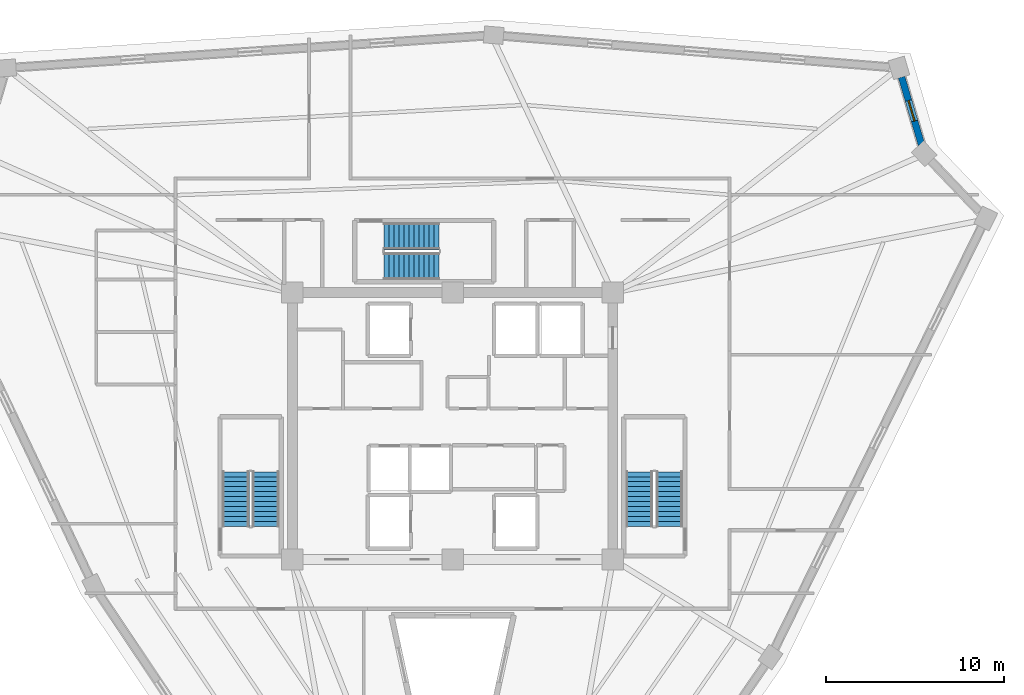
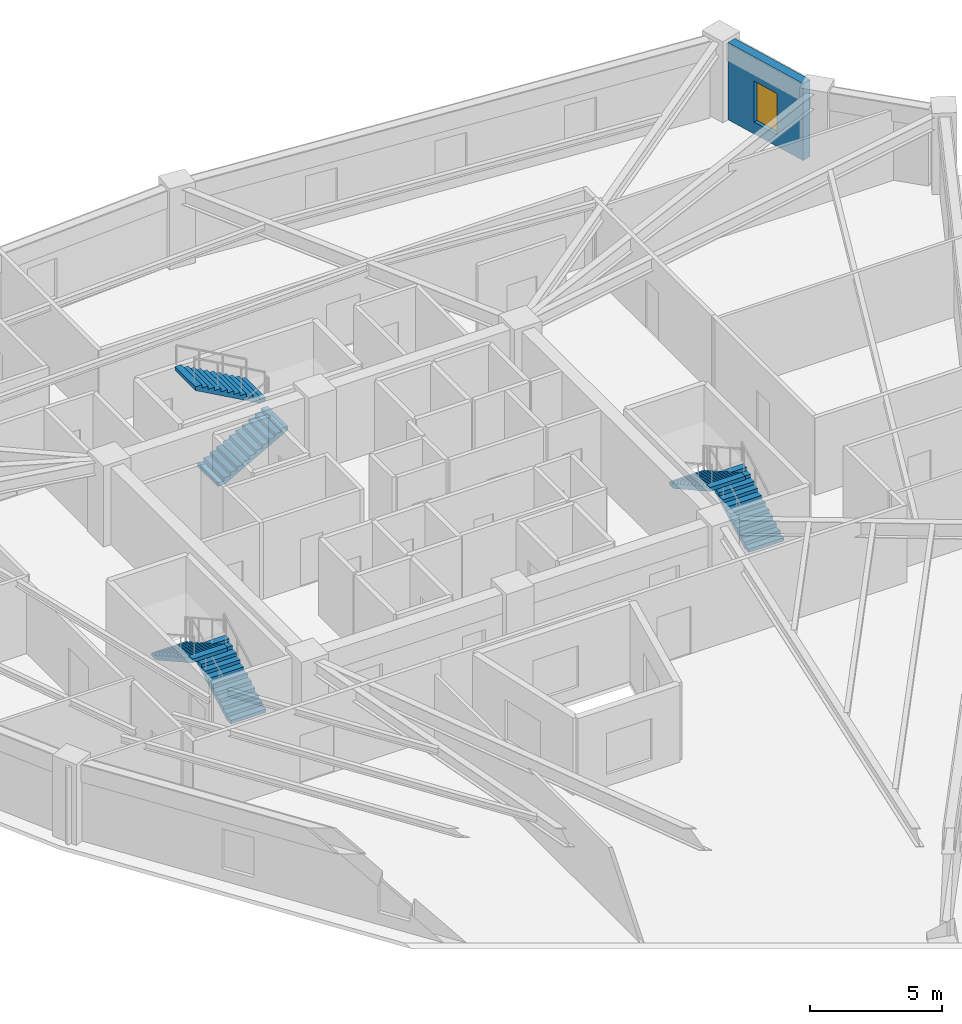
# One storey, part 7 of 8: 6 stair flights, 1 wall, 1 window, 1 opening, 3 elements without a shape of their own.
"""IFC4 building model written with IfcOpenShell, lengths in metres."""

import ifcopenshell
import ifcopenshell.guid

model = None  # the IFC model being written
_history = None  # IfcOwnerHistory: only IFC2X3 demands one
_inside = {}  # id of a spatial element -> (the spatial element, [elements in it])
_under = {}  # id of a project, library or spatial element -> (it, [spatial elements below it])
_declared = {}  # id of a project -> (the project, [libraries it declares])
_typed = {}  # id of a type object -> (the type object, [elements of that type])
_made_of = {}  # id of a material, layer set ... -> (it, [elements and type objects made of it])


def new_model(schema):
    """Start an empty IFC model of exactly this schema.

    Asked for "IFC4X3", IfcOpenShell would pick the latest addendum, in which some entities
    have other attributes; the version numbers below select the first issue.
    IFC2X3 requires an IfcOwnerHistory on every rooted entity: one is made here for all.
    """
    global model, _history
    if schema == "IFC4X3":
        model = ifcopenshell.file(schema_version=(4, 3, 0, 0))
    else:
        model = ifcopenshell.file(schema=schema)
    _inside.clear()
    _under.clear()
    _declared.clear()
    _typed.clear()
    _made_of.clear()
    _history = None
    if model.schema == "IFC2X3":
        org = make("IfcOrganization", Name="unknown")
        user = make(
            "IfcPersonAndOrganization",
            ThePerson=make("IfcPerson", FamilyName="unknown"),
            TheOrganization=org,
        )
        app = make(
            "IfcApplication",
            ApplicationDeveloper=org,
            Version="unknown",
            ApplicationFullName="unknown",
            ApplicationIdentifier="unknown",
        )
        _history = make(
            "IfcOwnerHistory",
            OwningUser=user,
            OwningApplication=app,
            ChangeAction="ADDED",
            CreationDate=0,
        )
    return model


def make(cls, **values):
    """One entity of the class cls with the attributes given. An attribute that is None is left unset."""
    return model.create_entity(
        cls, **{name: value for name, value in values.items() if value is not None}
    )


def rooted(cls, **values):
    """An entity with a GlobalId (a new one), such as an element, a storey or a relation."""
    return make(cls, GlobalId=ifcopenshell.guid.new(), OwnerHistory=_history, **values)


def si_unit(unit_type, name, prefix=None):
    """IfcSIUnit, for example si_unit("LENGTHUNIT", "METRE", prefix="MILLI")."""
    return make("IfcSIUnit", UnitType=unit_type, Prefix=prefix, Name=name)


def assignment(units):
    """IfcUnitAssignment: the units of a project."""
    return None if units is None else make("IfcUnitAssignment", Units=units)


def point(xyz):
    """IfcCartesianPoint."""
    return None if xyz is None else make("IfcCartesianPoint", Coordinates=xyz)


def direction(xyz):
    """IfcDirection."""
    return None if xyz is None else make("IfcDirection", DirectionRatios=xyz)


def frame(location, z_axis=None, x_axis=None):
    """IfcAxis2Placement3D, a coordinate frame: its origin and axes. An axis left out is left unset."""
    return make(
        "IfcAxis2Placement3D",
        Location=point(location),
        Axis=direction(z_axis),
        RefDirection=direction(x_axis),
    )


def frame_2d(location, x_axis=None):
    """IfcAxis2Placement2D, a coordinate frame in the plane: its origin and x axis."""
    return make(
        "IfcAxis2Placement2D", Location=point(location), RefDirection=direction(x_axis)
    )


def origin():
    """The frame at (0, 0, 0) with its axes left unset."""
    return frame((0.0, 0.0, 0.0))


def place(relative_to, where):
    """IfcLocalPlacement: puts the frame where relative to a parent placement (None: the world)."""
    return make(
        "IfcLocalPlacement", PlacementRelTo=relative_to, RelativePlacement=where
    )


def context(
    kind, dimensions, precision=None, world=None, true_north=None, identifier=None
):
    """IfcGeometricRepresentationContext, for example the 3D "Model" context."""
    return make(
        "IfcGeometricRepresentationContext",
        ContextIdentifier=identifier,
        ContextType=kind,
        CoordinateSpaceDimension=dimensions,
        Precision=precision,
        WorldCoordinateSystem=world,
        TrueNorth=true_north,
    )


def subcontext(parent, identifier, kind, view, scale=None):
    """IfcGeometricRepresentationSubContext, for example "Body" below "Model"."""
    return make(
        "IfcGeometricRepresentationSubContext",
        ContextIdentifier=identifier,
        ContextType=kind,
        ParentContext=parent,
        TargetScale=scale,
        TargetView=view,
    )


def project(units=None, contexts=None):
    """IfcProject with its units and contexts."""
    return rooted(
        "IfcProject",
        Name="project",
        RepresentationContexts=contexts,
        UnitsInContext=assignment(units),
    )


def spatial(cls, under=None, at=None, **own):
    """A site, building, storey or space (cls), placed at a placement, below another one or the project."""
    s = rooted(cls, ObjectPlacement=at, **own)
    if under is not None:
        _under.setdefault(under.id(), (under, []))[1].append(s)
    return s


def polyline(points):
    """IfcPolyline through the points."""
    return make("IfcPolyline", Points=[point(p) for p in points])


def profile(cls, at=None, kind="AREA", **sizes):
    """A parametric profile (cls). Its sizes go by their IFC names, for example OverallWidth=200.0."""
    return make(cls, ProfileType=kind, Position=at, **sizes)


def rectangle(**sizes):
    """IfcRectangleProfileDef."""
    return profile("IfcRectangleProfileDef", **sizes)


def outline(outer, holes=None, kind="AREA"):
    """IfcArbitraryClosedProfileDef: a profile drawn as a closed curve; with holes, ...WithVoids."""
    if holes is None:
        return make("IfcArbitraryClosedProfileDef", ProfileType=kind, OuterCurve=outer)
    return make(
        "IfcArbitraryProfileDefWithVoids",
        ProfileType=kind,
        OuterCurve=outer,
        InnerCurves=holes,
    )


def extrude(swept, where, along, depth):
    """IfcExtrudedAreaSolid: the profile swept, set in the frame where, extruded along a direction by depth."""
    return make(
        "IfcExtrudedAreaSolid",
        SweptArea=swept,
        Position=where,
        ExtrudedDirection=direction(along),
        Depth=depth,
    )


def shape(context_of_items, identifier, shape_type, items):
    """IfcShapeRepresentation: the items that make up one representation, for example the "Body"."""
    return make(
        "IfcShapeRepresentation",
        ContextOfItems=context_of_items,
        RepresentationIdentifier=identifier,
        RepresentationType=shape_type,
        Items=items,
    )


def source(mapping_origin, context_of_items, identifier, shape_type, items):
    """IfcRepresentationMap: a shape defined once, which mapped items show again and again."""
    return make(
        "IfcRepresentationMap",
        MappingOrigin=mapping_origin,
        MappedRepresentation=shape(context_of_items, identifier, shape_type, items),
    )


def transform(
    local_origin,
    x_axis=None,
    y_axis=None,
    z_axis=None,
    scale=None,
    scale2=None,
    scale3=None,
    uniform=True,
):
    """IfcCartesianTransformationOperator3D, or its non-uniform kind. x_axis, y_axis, z_axis: its Axis1, 2, 3."""
    if uniform:
        return make(
            "IfcCartesianTransformationOperator3D",
            Axis1=direction(x_axis),
            Axis2=direction(y_axis),
            LocalOrigin=point(local_origin),
            Scale=scale,
            Axis3=direction(z_axis),
        )
    return make(
        "IfcCartesianTransformationOperator3DnonUniform",
        Axis1=direction(x_axis),
        Axis2=direction(y_axis),
        LocalOrigin=point(local_origin),
        Scale=scale,
        Axis3=direction(z_axis),
        Scale2=scale2,
        Scale3=scale3,
    )


def mapped(mapping_source, mapping_target):
    """IfcMappedItem: shows the shape of a source again, moved by a transform."""
    return make(
        "IfcMappedItem", MappingSource=mapping_source, MappingTarget=mapping_target
    )


def material(Name=None, Category=None):
    """IfcMaterial."""
    return make("IfcMaterial", Name=Name, Category=Category)


def layer(
    of_material, thickness, ventilated=None, Name=None, Category=None, Priority=None
):
    """IfcMaterialLayer: one layer of a wall or slab, of a material (None: an air gap)."""
    return make(
        "IfcMaterialLayer",
        Material=of_material,
        LayerThickness=thickness,
        IsVentilated=ventilated,
        Name=Name,
        Category=Category,
        Priority=Priority,
    )


def layer_set(layers, Name=None):
    """IfcMaterialLayerSet."""
    return make("IfcMaterialLayerSet", MaterialLayers=layers, LayerSetName=Name)


def made_of(thing, what):
    """Note that an element or type object is made of a material, layer set ...; save() writes the relation."""
    if what is not None:
        _made_of.setdefault(what.id(), (what, []))[1].append(thing)
    return thing


def type_object(cls, material=None, **own):
    """A type object (cls), such as IfcWallType, which elements share."""
    return made_of(rooted(cls, **own), material)


def element(
    cls,
    number,
    at=None,
    inside=None,
    cuts=None,
    type_object=None,
    material=None,
    context=None,
    identifier="Body",
    shape_type=None,
    held_by="IfcProductDefinitionShape",
    body=None,
    shapes=None,
    **own,
):
    """One element of the class cls, such as IfcWall. Its Tag is "e" and its number.

    at: its placement. inside: the storey or other place that contains it. cuts: it is an
    opening in that element (IfcRelVoidsElement). A single representation is given by context,
    identifier, shape_type and body (its items); several are given by shapes. held_by: the class
    of the entity that holds the representations. save() writes the other relations.
    """
    e = rooted(cls, Tag="e%d" % number, ObjectPlacement=at, **own)
    if body is not None:
        shapes = [shape(context, identifier, shape_type, body)]
    if shapes is not None:
        e.Representation = make(held_by, Representations=shapes)
    if inside is not None:
        _inside.setdefault(inside.id(), (inside, []))[1].append(e)
    if cuts is not None:
        rooted(
            "IfcRelVoidsElement", RelatingBuildingElement=cuts, RelatedOpeningElement=e
        )
    if type_object is not None:
        _typed.setdefault(type_object.id(), (type_object, []))[1].append(e)
    return made_of(e, material)


def fill(opening, filler):
    """IfcRelFillsElement: the door or window that sits in an opening."""
    return rooted(
        "IfcRelFillsElement",
        RelatingOpeningElement=opening,
        RelatedBuildingElement=filler,
    )


def aggregate(whole, parts):
    """IfcRelAggregates: a whole, such as a stair, and the parts it consists of."""
    return rooted("IfcRelAggregates", RelatingObject=whole, RelatedObjects=parts)


def save(model, path):
    """Write the relations noted so far, then the file.

    IfcRelAggregates (storeys below a building ...), IfcRelContainedInSpatialStructure (elements
    in a storey), IfcRelDefinesByType, IfcRelAssociatesMaterial and IfcRelDeclares: one each for
    every whole, place, type object, material and project.
    """
    for whole, parts in _under.values():
        aggregate(whole, parts)
    for where, things in _inside.values():
        rooted(
            "IfcRelContainedInSpatialStructure",
            RelatedElements=things,
            RelatingStructure=where,
        )
    for kind, things in _typed.values():
        rooted("IfcRelDefinesByType", RelatedObjects=things, RelatingType=kind)
    for what, things in _made_of.values():
        rooted("IfcRelAssociatesMaterial", RelatedObjects=things, RelatingMaterial=what)
    for by, libraries in _declared.values():
        rooted("IfcRelDeclares", RelatingContext=by, RelatedDefinitions=libraries)
    model.write(path)


model = new_model("IFC4")

# Units and contexts
model_context = context("Model", 3, precision=1e-05, world=origin(), true_north=direction((0.0, 1.0)))
body_context = subcontext(model_context, "Body", "Model", "MODEL_VIEW")
ifc_project = project(units=[si_unit("LENGTHUNIT", "METRE"), si_unit("AREAUNIT", "SQUARE_METRE"), si_unit("VOLUMEUNIT", "CUBIC_METRE"), si_unit("PLANEANGLEUNIT", "RADIAN"), si_unit("MASSUNIT", "GRAM", prefix="KILO")], contexts=[model_context])

# Site, building, storey
site_placement = place(None, origin())
site = spatial("IfcSite", under=ifc_project, at=site_placement, CompositionType="ELEMENT")
building_placement = place(site_placement, origin())
building = spatial("IfcBuilding", under=site, at=building_placement, Name="Liaohun Quay Tower", CompositionType="ELEMENT")
storey_placement = place(building_placement, frame((0.0, 0.0, 316.5)))
storey = spatial("IfcBuildingStorey", under=building, at=storey_placement, Name="L82", CompositionType="ELEMENT", Elevation=316.5)

# Wall, opening, window
ifc_material_1 = material(Name="Precast concrete C50 insulated sandwich", Category="concrete")
ifc_layer = layer(ifc_material_1, 0.3798828125, Name="Precast concrete C50 insulated sandwich", Category="concrete")
ifc_layer_set = layer_set([ifc_layer], Name="Precast concrete C50 insulated sandwich")
wall_type = type_object("IfcWallType", Name="WAL-EXT-Z34", PredefinedType="SOLIDWALL", material=ifc_layer_set)
wall_placement = place(storey_placement, frame((86.340087890625, 69.81396484375, 0.0), z_axis=(0.0, 0.0, 1.0), x_axis=(-0.28233716639, 0.959315237279, 0.0)))
wall = element("IfcWall", 1, at=wall_placement, inside=storey, type_object=wall_type, Name="L82 Brutalist Precast Pier Wall 05", PredefinedType="SOLIDWALL", context=body_context, shape_type="SweptSolid", body=[
    extrude(rectangle(XDim=3.94580078125, YDim=0.3798828125, at=frame_2d((1.972900390625, 0.0))), origin(), (0.0, 0.0, 1.0), 3.570068359375),
])
shared_shape_1 = source(origin(), body_context, "Body", "SweptSolid", [
    extrude(rectangle(XDim=1.199951171875, YDim=1.89990234375, at=frame_2d((0.60009765625, 0.949951171875))), frame((0.0, 0.199951171875, 0.0), z_axis=(0.0, -1.0, 0.0), x_axis=(1.0, 0.0, 0.0)), (0.0, 0.0, 1.0), 0.39990234375),
])
opening_placement = place(wall_placement, frame((1.373046875, 0.0, 0.550048828125)))
opening = element("IfcOpeningElement", 2, at=opening_placement, cuts=wall, Name="Opening W05", PredefinedType="OPENING", context=body_context, shape_type="MappedRepresentation", body=[
    mapped(shared_shape_1, transform((0.0, 0.0, 0.0), x_axis=(1.0, 0.0, 0.0), y_axis=(0.0, 1.0, 0.0), z_axis=(0.0, 0.0, 1.0), scale=1.0)),
])
ifc_material_2 = material(Name="Triple Low-E corner notch glazing", Category="glass")
window_type = type_object("IfcWindowType", Name="WIN-NOTCH", PartitioningType="SINGLE_PANEL", PredefinedType="WINDOW", material=ifc_material_2)
shared_shape_2 = source(origin(), body_context, "Body", "SweptSolid", [
    extrude(rectangle(XDim=1.199951171875, YDim=1.89990234375, at=frame_2d((0.60009765625, 0.949951171875))), frame((0.0, 0.030029296875, 0.0), z_axis=(0.0, -1.0, 0.0), x_axis=(1.0, 0.0, 0.0)), (0.0, 0.0, 1.0), 0.06005859375),
])
window_placement = place(opening_placement, origin())
window = element("IfcWindow", 3, at=window_placement, inside=storey, type_object=window_type, Name="L82 Corner Notch Window W05-05", OverallHeight=1.89990234375, OverallWidth=1.199951171875, PartitioningType="SINGLE_PANEL", PredefinedType="WINDOW", context=body_context, shape_type="MappedRepresentation", body=[
    mapped(shared_shape_2, transform((0.0, 0.0, 0.0), x_axis=(1.0, 0.0, 0.0), y_axis=(0.0, 1.0, 0.0), z_axis=(0.0, 0.0, 1.0), scale=1.0)),
])
fill(opening, window)

# Stair, stair flights
ifc_material_3 = material(Name="Concrete C45", Category="concrete")
stair_type = type_object("IfcStairType", Name="STR-CORE-OFF", PredefinedType="HALF_TURN_STAIR", material=ifc_material_3)
stair_1_placement = place(storey_placement, origin())
stair_1 = element("IfcStair", 4, at=stair_1_placement, inside=storey, type_object=stair_type, Name="L82 Smokeproof Core Exit Stair ST-1", PredefinedType="HALF_TURN_STAIR")
stair_flight_type = type_object("IfcStairFlightType", Name="FLT-CORE-155", PredefinedType="STRAIGHT", material=ifc_material_3)
stair_flight_1_placement = place(storey_placement, frame((49.5048828125, 48.35009765625, 0.0), z_axis=(0.0, 0.0, 1.0), x_axis=(0.0, 1.0, 0.0)))
stair_flight_1 = element("IfcStairFlight", 5, at=stair_flight_1_placement, type_object=stair_flight_type, Name="ST-1 flight 1", NumberOfRisers=12, NumberOfTreads=11, PredefinedType="STRAIGHT", RiserHeight=0.15625, TreadLength=0.28, context=body_context, shape_type="SweptSolid", body=[
    extrude(outline(polyline([(0.0, 0.0), (0.0, 0.15625), (0.280029296875, 0.15625), (0.280029296875, 0.3125), (0.56005859375, 0.3125), (0.56005859375, 0.46875), (0.840087890625, 0.46875), (0.840087890625, 0.625), (1.1201171875, 0.625), (1.1201171875, 0.78125), (1.39990234375, 0.78125), (1.39990234375, 0.9375), (1.679931640625, 0.9375), (1.679931640625, 1.09375), (1.9599609375, 1.09375), (1.9599609375, 1.25), (2.239990234375, 1.25), (2.239990234375, 1.40625), (2.52001953125, 1.40625), (2.52001953125, 1.5625), (2.800048828125, 1.5625), (2.800048828125, 1.71875), (3.080078125, 1.71875), (3.080078125, 1.875), (3.080078125, 1.547119140625), (0.3076171875, 0.0), (0.0, 0.0)])), frame((0.0, 0.77490234375, 0.0), z_axis=(0.0, -1.0, 0.0), x_axis=(1.0, 0.0, 0.0)), (0.0, 0.0, 1.0), 1.550048828125),
])
stair_flight_2_placement = place(storey_placement, frame((47.81494140625, 51.429931640625, 1.875), z_axis=(0.0, 0.0, 1.0), x_axis=(0.0, -1.0, 0.0)))
stair_flight_2 = element("IfcStairFlight", 6, at=stair_flight_2_placement, type_object=stair_flight_type, Name="ST-1 flight 2", NumberOfRisers=12, NumberOfTreads=11, PredefinedType="STRAIGHT", RiserHeight=0.15625, TreadLength=0.28, context=body_context, shape_type="SweptSolid", body=[
    extrude(outline(polyline([(0.0, 0.0), (0.0, 0.15625), (0.280029296875, 0.15625), (0.280029296875, 0.3125), (0.56005859375, 0.3125), (0.56005859375, 0.46875), (0.840087890625, 0.46875), (0.840087890625, 0.625), (1.1201171875, 0.625), (1.1201171875, 0.78125), (1.39990234375, 0.78125), (1.39990234375, 0.9375), (1.679931640625, 0.9375), (1.679931640625, 1.09375), (1.9599609375, 1.09375), (1.9599609375, 1.25), (2.239990234375, 1.25), (2.239990234375, 1.40625), (2.52001953125, 1.40625), (2.52001953125, 1.5625), (2.800048828125, 1.5625), (2.800048828125, 1.71875), (3.080078125, 1.71875), (3.080078125, 1.875), (3.080078125, 1.547119140625), (0.3076171875, 0.0), (0.0, 0.0)])), frame((0.0, 0.77490234375, 0.0), z_axis=(0.0, -1.0, 0.0), x_axis=(1.0, 0.0, 0.0)), (0.0, 0.0, 1.0), 1.550048828125),
])
aggregate(stair_1, [stair_flight_1, stair_flight_2])

stair_2_placement = place(storey_placement, origin())
stair_2 = element("IfcStair", 7, at=stair_2_placement, inside=storey, type_object=stair_type, Name="L82 Smokeproof Core Exit Stair ST-2", PredefinedType="HALF_TURN_STAIR")
stair_flight_3_placement = place(storey_placement, frame((72.18505859375, 48.35009765625, 0.0), z_axis=(0.0, 0.0, 1.0), x_axis=(0.0, 1.0, 0.0)))
stair_flight_3 = element("IfcStairFlight", 8, at=stair_flight_3_placement, type_object=stair_flight_type, Name="ST-2 flight 1", NumberOfRisers=12, NumberOfTreads=11, PredefinedType="STRAIGHT", RiserHeight=0.15625, TreadLength=0.28, context=body_context, shape_type="SweptSolid", body=[
    extrude(outline(polyline([(0.0, 0.0), (0.0, 0.15625), (0.280029296875, 0.15625), (0.280029296875, 0.3125), (0.56005859375, 0.3125), (0.56005859375, 0.46875), (0.840087890625, 0.46875), (0.840087890625, 0.625), (1.1201171875, 0.625), (1.1201171875, 0.78125), (1.39990234375, 0.78125), (1.39990234375, 0.9375), (1.679931640625, 0.9375), (1.679931640625, 1.09375), (1.9599609375, 1.09375), (1.9599609375, 1.25), (2.239990234375, 1.25), (2.239990234375, 1.40625), (2.52001953125, 1.40625), (2.52001953125, 1.5625), (2.800048828125, 1.5625), (2.800048828125, 1.71875), (3.080078125, 1.71875), (3.080078125, 1.875), (3.080078125, 1.547119140625), (0.3076171875, 0.0), (0.0, 0.0)])), frame((0.0, 0.77490234375, 0.0), z_axis=(0.0, -1.0, 0.0), x_axis=(1.0, 0.0, 0.0)), (0.0, 0.0, 1.0), 1.550048828125),
])
stair_flight_4_placement = place(storey_placement, frame((70.4951171875, 51.429931640625, 1.875), z_axis=(0.0, 0.0, 1.0), x_axis=(0.0, -1.0, 0.0)))
stair_flight_4 = element("IfcStairFlight", 9, at=stair_flight_4_placement, type_object=stair_flight_type, Name="ST-2 flight 2", NumberOfRisers=12, NumberOfTreads=11, PredefinedType="STRAIGHT", RiserHeight=0.15625, TreadLength=0.28, context=body_context, shape_type="SweptSolid", body=[
    extrude(outline(polyline([(0.0, 0.0), (0.0, 0.15625), (0.280029296875, 0.15625), (0.280029296875, 0.3125), (0.56005859375, 0.3125), (0.56005859375, 0.46875), (0.840087890625, 0.46875), (0.840087890625, 0.625), (1.1201171875, 0.625), (1.1201171875, 0.78125), (1.39990234375, 0.78125), (1.39990234375, 0.9375), (1.679931640625, 0.9375), (1.679931640625, 1.09375), (1.9599609375, 1.09375), (1.9599609375, 1.25), (2.239990234375, 1.25), (2.239990234375, 1.40625), (2.52001953125, 1.40625), (2.52001953125, 1.5625), (2.800048828125, 1.5625), (2.800048828125, 1.71875), (3.080078125, 1.71875), (3.080078125, 1.875), (3.080078125, 1.547119140625), (0.3076171875, 0.0), (0.0, 0.0)])), frame((0.0, 0.77490234375, 0.0), z_axis=(0.0, -1.0, 0.0), x_axis=(1.0, 0.0, 0.0)), (0.0, 0.0, 1.0), 1.550048828125),
])
aggregate(stair_2, [stair_flight_3, stair_flight_4])

stair_3_placement = place(storey_placement, origin())
stair_3 = element("IfcStair", 10, at=stair_3_placement, inside=storey, type_object=stair_type, Name="L82 Smokeproof Core Exit Stair ST-3", PredefinedType="HALF_TURN_STAIR")
stair_flight_5_placement = place(storey_placement, frame((56.14990234375, 62.97509765625, 0.0), z_axis=(0.0, 0.0, 1.0), x_axis=(1.0, 0.0, 0.0)))
stair_flight_5 = element("IfcStairFlight", 11, at=stair_flight_5_placement, type_object=stair_flight_type, Name="ST-3 flight 1", NumberOfRisers=12, NumberOfTreads=11, PredefinedType="STRAIGHT", RiserHeight=0.15625, TreadLength=0.28, context=body_context, shape_type="SweptSolid", body=[
    extrude(outline(polyline([(0.0, 0.0), (0.0, 0.15625), (0.280029296875, 0.15625), (0.280029296875, 0.3125), (0.56005859375, 0.3125), (0.56005859375, 0.46875), (0.840087890625, 0.46875), (0.840087890625, 0.625), (1.1201171875, 0.625), (1.1201171875, 0.78125), (1.39990234375, 0.78125), (1.39990234375, 0.9375), (1.679931640625, 0.9375), (1.679931640625, 1.09375), (1.9599609375, 1.09375), (1.9599609375, 1.25), (2.239990234375, 1.25), (2.239990234375, 1.40625), (2.52001953125, 1.40625), (2.52001953125, 1.5625), (2.800048828125, 1.5625), (2.800048828125, 1.71875), (3.080078125, 1.71875), (3.080078125, 1.875), (3.080078125, 1.547119140625), (0.3076171875, 0.0), (0.0, 0.0)])), frame((0.0, 0.77490234375, 0.0), z_axis=(0.0, -1.0, 0.0), x_axis=(1.0, 0.0, 0.0)), (0.0, 0.0, 1.0), 1.550048828125),
])
stair_flight_6_placement = place(storey_placement, frame((59.22998046875, 64.6650390625, 1.875), z_axis=(0.0, 0.0, 1.0), x_axis=(-1.0, 0.0, 0.0)))
stair_flight_6 = element("IfcStairFlight", 12, at=stair_flight_6_placement, type_object=stair_flight_type, Name="ST-3 flight 2", NumberOfRisers=12, NumberOfTreads=11, PredefinedType="STRAIGHT", RiserHeight=0.15625, TreadLength=0.28, context=body_context, shape_type="SweptSolid", body=[
    extrude(outline(polyline([(0.0, 0.0), (0.0, 0.15625), (0.280029296875, 0.15625), (0.280029296875, 0.3125), (0.56005859375, 0.3125), (0.56005859375, 0.46875), (0.840087890625, 0.46875), (0.840087890625, 0.625), (1.1201171875, 0.625), (1.1201171875, 0.78125), (1.39990234375, 0.78125), (1.39990234375, 0.9375), (1.679931640625, 0.9375), (1.679931640625, 1.09375), (1.9599609375, 1.09375), (1.9599609375, 1.25), (2.239990234375, 1.25), (2.239990234375, 1.40625), (2.52001953125, 1.40625), (2.52001953125, 1.5625), (2.800048828125, 1.5625), (2.800048828125, 1.71875), (3.080078125, 1.71875), (3.080078125, 1.875), (3.080078125, 1.547119140625), (0.3076171875, 0.0), (0.0, 0.0)])), frame((0.0, 0.77490234375, 0.0), z_axis=(0.0, -1.0, 0.0), x_axis=(1.0, 0.0, 0.0)), (0.0, 0.0, 1.0), 1.550048828125),
])
aggregate(stair_3, [stair_flight_5, stair_flight_6])

save(model, "model.ifc")
